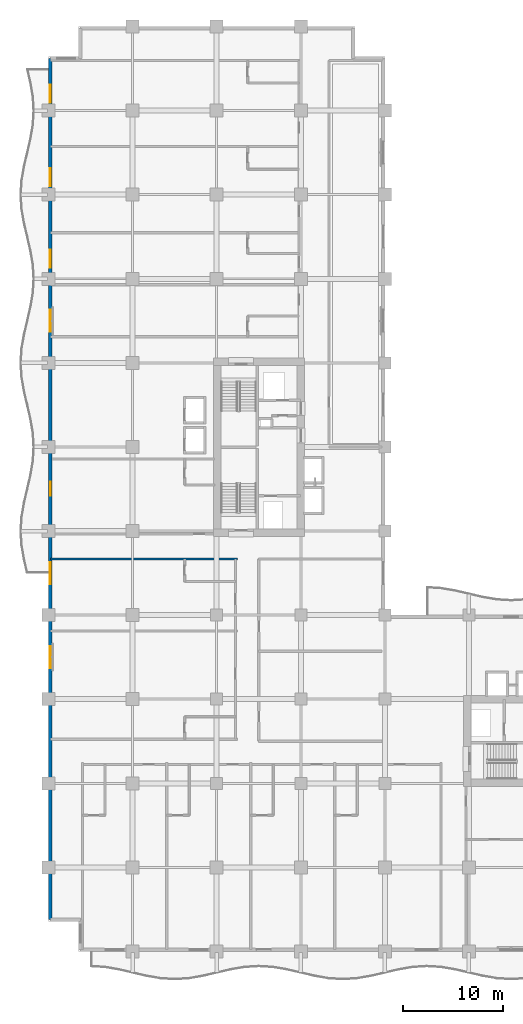
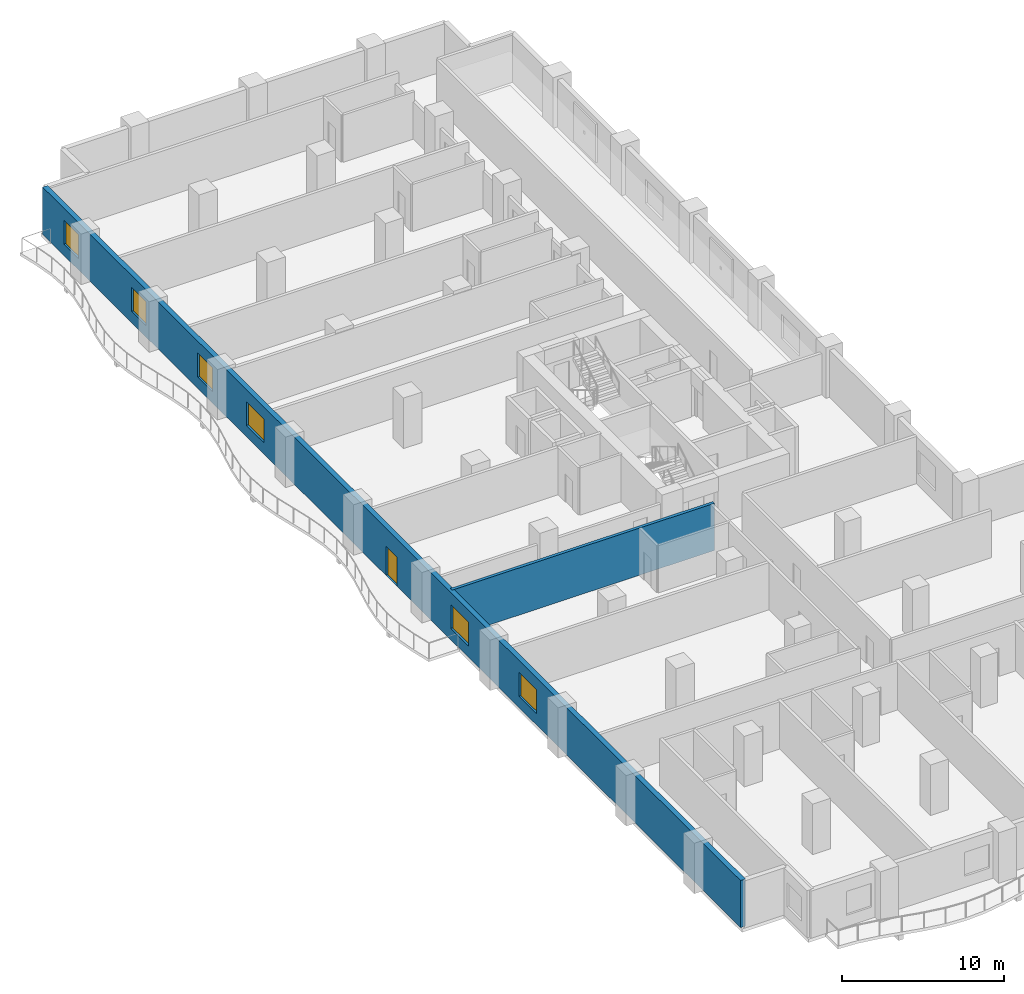
# One storey, part 12 of 24: 6 windows, 2 walls, 1 door, 7 openings.
"""IFC4 building model written with IfcOpenShell, lengths in metres."""

from ifc_helpers import new_model, si_unit, direction, frame, frame_2d, origin, place, context, subcontext, project, spatial, rectangle, extrude, material, layer, layer_set, type_object, element, fill, save


model = new_model("IFC4")

# Units and contexts
model_context = context("Model", 3, precision=1e-05, world=origin(), true_north=direction((0.0, 1.0)))
body_context = subcontext(model_context, "Body", "Model", "MODEL_VIEW")
ifc_project = project(units=[si_unit("LENGTHUNIT", "METRE"), si_unit("AREAUNIT", "SQUARE_METRE"), si_unit("VOLUMEUNIT", "CUBIC_METRE"), si_unit("PLANEANGLEUNIT", "RADIAN"), si_unit("MASSUNIT", "GRAM", prefix="KILO")], contexts=[model_context])

# Site, building, storey
site_placement = place(None, origin())
site = spatial("IfcSite", under=ifc_project, at=site_placement, CompositionType="ELEMENT")
building_placement = place(site_placement, origin())
building = spatial("IfcBuilding", under=site, at=building_placement, Name="Koriwani Terraces Tower", CompositionType="ELEMENT")
storey_placement = place(building_placement, frame((0.0, 0.0, 103.800048828125)))
storey = spatial("IfcBuildingStorey", under=building, at=storey_placement, Name="L24", CompositionType="ELEMENT", Elevation=103.800048828125)

# Wall
ifc_material_1 = material(Name="Autoclaved Cellular Concrete Blockwork", Category="masonry")
ifc_layer_1 = layer(ifc_material_1, 0.219970703125, Name="Autoclaved Cellular Concrete Blockwork")
ifc_layer_set_1 = layer_set([ifc_layer_1], Name="Autoclaved Cellular Concrete Blockwork")
wall_type_1 = type_object("IfcWallType", Name="WALL_DEMISING_220", PredefinedType="PARTITIONING", material=ifc_layer_set_1)
wall_1_placement = place(storey_placement, frame((0.199951171875, 39.199951171875, 0.0), z_axis=(0.0, 0.0, 1.0), x_axis=(1.0, 0.0, 0.0)))
element("IfcWall", 1, at=wall_1_placement, inside=storey, type_object=wall_type_1, Name="L24 Interior Wall WDEME-L24-NW", PredefinedType="PARTITIONING", context=body_context, shape_type="SweptSolid", body=[
    extrude(rectangle(XDim=18.679931640625, YDim=0.219970703125, at=frame_2d((9.33984375, 0.0))), origin(), (0.0, 0.0, 1.0), 3.550048828125),
])

# Wall, openings, door, windows
ifc_material_2 = material(Name="Concrete C50/60", Category="concrete")
ifc_layer_2 = layer(ifc_material_2, 0.35009765625, Name="Concrete C50/60")
ifc_layer_set_2 = layer_set([ifc_layer_2], Name="Concrete C50/60")
wall_type_2 = type_object("IfcWallType", Name="WALL_EXT_BRUTALIST_350", PredefinedType="STANDARD", material=ifc_layer_set_2)
wall_2_placement = place(storey_placement, frame((0.175048828125, 3.175048828125, 0.0), z_axis=(0.0, 0.0, 1.0), x_axis=(0.0, 1.0, 0.0)))
wall_2 = element("IfcWall", 2, at=wall_2_placement, inside=storey, type_object=wall_type_2, Name="L24 Fair-Faced Brutalist Exterior Wall (W)", PredefinedType="STANDARD", context=body_context, shape_type="SweptSolid", body=[
    extrude(rectangle(XDim=86.050048828125, YDim=0.35009765625, at=frame_2d((43.02490234375, 0.0))), origin(), (0.0, 0.0, 1.0), 3.550048828125),
])
opening_1_placement = place(wall_2_placement, frame((42.324951171875, 0.0, 0.0)))
opening_1 = element("IfcOpeningElement", 3, at=opening_1_placement, cuts=wall_2, Name="Opening D-09", PredefinedType="OPENING", context=body_context, shape_type="SweptSolid", body=[
    extrude(rectangle(XDim=1.39990234375, YDim=2.199951171875, at=frame_2d((0.699951171875, 1.10009765625))), frame((0.0, 0.18505859375, 0.0), z_axis=(0.0, -1.0, 0.0), x_axis=(1.0, 0.0, 0.0)), (0.0, 0.0, 1.0), 0.3701171875),
])
opening_2_placement = place(wall_2_placement, frame((25.125, 0.0, 0.85009765625)))
opening_2 = element("IfcOpeningElement", 4, at=opening_2_placement, cuts=wall_2, Name="Opening W-01", PredefinedType="OPENING", context=body_context, shape_type="SweptSolid", body=[
    extrude(rectangle(XDim=2.199951171875, YDim=1.800048828125, at=frame_2d((1.10009765625, 0.89990234375))), frame((0.0, 0.18505859375, 0.0), z_axis=(0.0, -1.0, 0.0), x_axis=(1.0, 0.0, 0.0)), (0.0, 0.0, 1.0), 0.3701171875),
])
opening_3_placement = place(wall_2_placement, frame((33.52490234375, 0.0, 0.85009765625)))
opening_3 = element("IfcOpeningElement", 5, at=opening_3_placement, cuts=wall_2, Name="Opening W-01", PredefinedType="OPENING", context=body_context, shape_type="SweptSolid", body=[
    extrude(rectangle(XDim=2.199951171875, YDim=1.800048828125, at=frame_2d((1.10009765625, 0.89990234375))), frame((0.0, 0.18505859375, 0.0), z_axis=(0.0, -1.0, 0.0), x_axis=(1.0, 0.0, 0.0)), (0.0, 0.0, 1.0), 0.3701171875),
])
opening_4_placement = place(wall_2_placement, frame((58.72509765625, 0.0, 0.85009765625)))
opening_4 = element("IfcOpeningElement", 6, at=opening_4_placement, cuts=wall_2, Name="Opening W-01", PredefinedType="OPENING", context=body_context, shape_type="SweptSolid", body=[
    extrude(rectangle(XDim=2.199951171875, YDim=1.800048828125, at=frame_2d((1.10009765625, 0.89990234375))), frame((0.0, 0.18505859375, 0.0), z_axis=(0.0, -1.0, 0.0), x_axis=(1.0, 0.0, 0.0)), (0.0, 0.0, 1.0), 0.3701171875),
])
opening_5_placement = place(wall_2_placement, frame((65.125, 0.0, 0.85009765625)))
opening_5 = element("IfcOpeningElement", 7, at=opening_5_placement, cuts=wall_2, Name="Opening W-04", PredefinedType="OPENING", context=body_context, shape_type="SweptSolid", body=[
    extrude(rectangle(XDim=1.800048828125, YDim=1.800048828125, at=frame_2d((0.89990234375, 0.89990234375))), frame((0.0, 0.18505859375, 0.0), z_axis=(0.0, -1.0, 0.0), x_axis=(1.0, 0.0, 0.0)), (0.0, 0.0, 1.0), 0.3701171875),
])
opening_6_placement = place(wall_2_placement, frame((73.27490234375, 0.0, 0.85009765625)))
opening_6 = element("IfcOpeningElement", 8, at=opening_6_placement, cuts=wall_2, Name="Opening W-04", PredefinedType="OPENING", context=body_context, shape_type="SweptSolid", body=[
    extrude(rectangle(XDim=1.800048828125, YDim=1.800048828125, at=frame_2d((0.89990234375, 0.89990234375))), frame((0.0, 0.18505859375, 0.0), z_axis=(0.0, -1.0, 0.0), x_axis=(1.0, 0.0, 0.0)), (0.0, 0.0, 1.0), 0.3701171875),
])
opening_7_placement = place(wall_2_placement, frame((81.625, 0.0, 0.85009765625)))
opening_7 = element("IfcOpeningElement", 9, at=opening_7_placement, cuts=wall_2, Name="Opening W-04", PredefinedType="OPENING", context=body_context, shape_type="SweptSolid", body=[
    extrude(rectangle(XDim=1.800048828125, YDim=1.800048828125, at=frame_2d((0.89990234375, 0.89990234375))), frame((0.0, 0.18505859375, 0.0), z_axis=(0.0, -1.0, 0.0), x_axis=(1.0, 0.0, 0.0)), (0.0, 0.0, 1.0), 0.3701171875),
])
ifc_material_3 = material(Name="Anodised Bronze Aluminium", Category="aluminium")
door_type = type_object("IfcDoorType", Name="DOOR_BALCONY_GLAZED_1400X2200", OperationType="NOTDEFINED", PredefinedType="DOOR", material=ifc_material_3)
door_placement = place(opening_1_placement, origin())
door = element("IfcDoor", 10, at=door_placement, inside=storey, type_object=door_type, Name="L24 West Balcony Glazed Door", OperationType="SINGLE_SWING_LEFT", OverallHeight=2.199951171875, OverallWidth=1.39990234375, PredefinedType="DOOR", context=body_context, shape_type="SweptSolid", body=[
    extrude(rectangle(XDim=1.39990234375, YDim=2.199951171875, at=frame_2d((0.699951171875, 1.10009765625))), frame((0.0, 0.02490234375, 0.0), z_axis=(0.0, -1.0, 0.0), x_axis=(1.0, 0.0, 0.0)), (0.0, 0.0, 1.0), 0.050048828125),
])
fill(opening_1, door)
ifc_material_4 = material(Name="Tempered Laminated Low-E Glass", Category="glass")
window_type_1 = type_object("IfcWindowType", Name="WIN_HOTEL_STD_2200X1800", PartitioningType="DOUBLE_PANEL_VERTICAL", PredefinedType="WINDOW", material=ifc_material_4)
window_1_placement = place(opening_2_placement, origin())
window_1 = element("IfcWindow", 11, at=window_1_placement, inside=storey, type_object=window_type_1, Name="L24 Exterior Window (W-9)", OverallHeight=1.800048828125, OverallWidth=2.199951171875, PartitioningType="SINGLE_PANEL", PredefinedType="WINDOW", context=body_context, shape_type="SweptSolid", body=[
    extrude(rectangle(XDim=2.199951171875, YDim=1.800048828125, at=frame_2d((1.10009765625, 0.89990234375))), frame((0.0, 0.030029296875, 0.0), z_axis=(0.0, -1.0, 0.0), x_axis=(1.0, 0.0, 0.0)), (0.0, 0.0, 1.0), 0.06005859375),
])
fill(opening_2, window_1)
window_2_placement = place(opening_3_placement, origin())
window_2 = element("IfcWindow", 12, at=window_2_placement, inside=storey, type_object=window_type_1, Name="L24 Exterior Window (W-12)", OverallHeight=1.800048828125, OverallWidth=2.199951171875, PartitioningType="SINGLE_PANEL", PredefinedType="WINDOW", context=body_context, shape_type="SweptSolid", body=[
    extrude(rectangle(XDim=2.199951171875, YDim=1.800048828125, at=frame_2d((1.10009765625, 0.89990234375))), frame((0.0, 0.030029296875, 0.0), z_axis=(0.0, -1.0, 0.0), x_axis=(1.0, 0.0, 0.0)), (0.0, 0.0, 1.0), 0.06005859375),
])
fill(opening_3, window_2)
window_3_placement = place(opening_4_placement, origin())
window_3 = element("IfcWindow", 13, at=window_3_placement, inside=storey, type_object=window_type_1, Name="L24 Exterior Window (W-21)", OverallHeight=1.800048828125, OverallWidth=2.199951171875, PartitioningType="SINGLE_PANEL", PredefinedType="WINDOW", context=body_context, shape_type="SweptSolid", body=[
    extrude(rectangle(XDim=2.199951171875, YDim=1.800048828125, at=frame_2d((1.10009765625, 0.89990234375))), frame((0.0, 0.030029296875, 0.0), z_axis=(0.0, -1.0, 0.0), x_axis=(1.0, 0.0, 0.0)), (0.0, 0.0, 1.0), 0.06005859375),
])
fill(opening_4, window_3)
window_type_2 = type_object("IfcWindowType", Name="WIN_RES_BED_1800X1800", PartitioningType="DOUBLE_PANEL_VERTICAL", PredefinedType="WINDOW", material=ifc_material_4)
window_4_placement = place(opening_5_placement, origin())
window_4 = element("IfcWindow", 14, at=window_4_placement, inside=storey, type_object=window_type_2, Name="L24 Exterior Window (W-R45)", OverallHeight=1.800048828125, OverallWidth=1.800048828125, PartitioningType="SINGLE_PANEL", PredefinedType="WINDOW", context=body_context, shape_type="SweptSolid", body=[
    extrude(rectangle(XDim=1.800048828125, YDim=1.800048828125, at=frame_2d((0.89990234375, 0.89990234375))), frame((0.0, 0.030029296875, 0.0), z_axis=(0.0, -1.0, 0.0), x_axis=(1.0, 0.0, 0.0)), (0.0, 0.0, 1.0), 0.06005859375),
])
fill(opening_5, window_4)
window_5_placement = place(opening_6_placement, origin())
window_5 = element("IfcWindow", 15, at=window_5_placement, inside=storey, type_object=window_type_2, Name="L24 Exterior Window (W-R47)", OverallHeight=1.800048828125, OverallWidth=1.800048828125, PartitioningType="SINGLE_PANEL", PredefinedType="WINDOW", context=body_context, shape_type="SweptSolid", body=[
    extrude(rectangle(XDim=1.800048828125, YDim=1.800048828125, at=frame_2d((0.89990234375, 0.89990234375))), frame((0.0, 0.030029296875, 0.0), z_axis=(0.0, -1.0, 0.0), x_axis=(1.0, 0.0, 0.0)), (0.0, 0.0, 1.0), 0.06005859375),
])
fill(opening_6, window_5)
window_6_placement = place(opening_7_placement, origin())
window_6 = element("IfcWindow", 16, at=window_6_placement, inside=storey, type_object=window_type_2, Name="L24 Exterior Window (W-R49)", OverallHeight=1.800048828125, OverallWidth=1.800048828125, PartitioningType="SINGLE_PANEL", PredefinedType="WINDOW", context=body_context, shape_type="SweptSolid", body=[
    extrude(rectangle(XDim=1.800048828125, YDim=1.800048828125, at=frame_2d((0.89990234375, 0.89990234375))), frame((0.0, 0.030029296875, 0.0), z_axis=(0.0, -1.0, 0.0), x_axis=(1.0, 0.0, 0.0)), (0.0, 0.0, 1.0), 0.06005859375),
])
fill(opening_7, window_6)

save(model, "model.ifc")
